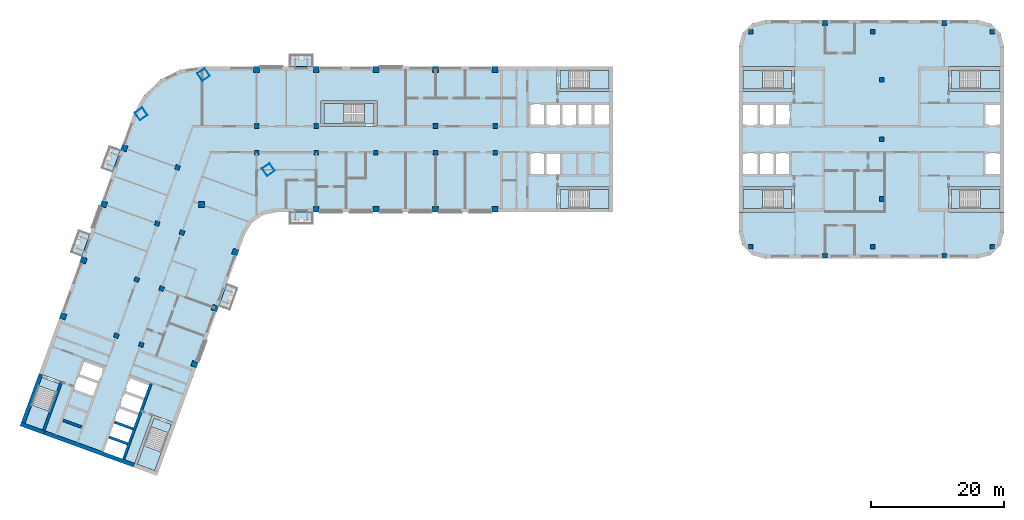
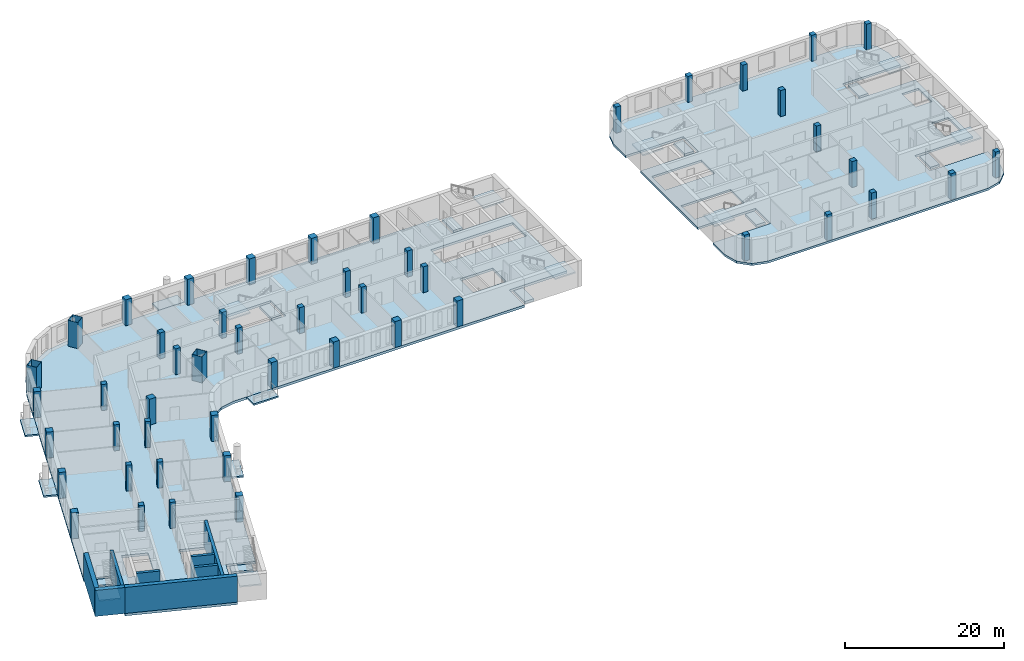
# One storey, part 1 of 16: 49 columns, 25 slabs, 8 walls, 9 elements without a shape of their own.
"""IFC4 building model written with IfcOpenShell, lengths in metres."""

from ifc_helpers import new_model, si_unit, direction, frame, frame_2d, origin, origin_2d, place, context, subcontext, project, spatial, polyline, rectangle, hollow_rectangle, outline, extrude, material, layer, layer_set, material_profile, profile_set, type_object, element, aggregate, save


model = new_model("IFC4")

# Units and contexts
model_context = context("Model", 3, precision=1e-05, world=origin(), true_north=direction((0.0, 1.0)))
body_context = subcontext(model_context, "Body", "Model", "MODEL_VIEW")
ifc_project = project(units=[si_unit("LENGTHUNIT", "METRE"), si_unit("AREAUNIT", "SQUARE_METRE"), si_unit("VOLUMEUNIT", "CUBIC_METRE"), si_unit("PLANEANGLEUNIT", "RADIAN"), si_unit("MASSUNIT", "GRAM", prefix="KILO")], contexts=[model_context])

# Site, building, storey
site_placement = place(None, origin())
site = spatial("IfcSite", under=ifc_project, at=site_placement, CompositionType="ELEMENT")
building_placement = place(site_placement, origin())
building = spatial("IfcBuilding", under=site, at=building_placement, Name="Skarvind Civic Tower", CompositionType="ELEMENT")
storey_placement = place(building_placement, frame((0.0, 0.0, 67.5)))
storey = spatial("IfcBuildingStorey", under=building, at=storey_placement, Name="L15", CompositionType="ELEMENT", Elevation=67.5)

# Columns
ifc_material_1 = material(Name="Concrete C60", Category="concrete")
ifc_material_profile_1 = material_profile(ifc_material_1, rectangle(XDim=0.699951171875, YDim=0.699951171875, at=origin_2d()), Name="RC-700x700")
ifc_profile_set_1 = profile_set([ifc_material_profile_1], Name="Concrete C60")
column_type_1 = type_object("IfcColumnType", Name="Column RC-700x700 C60", PredefinedType="COLUMN", material=ifc_profile_set_1)
for number, where, z_axis, x_axis, name in (
    (1, (54.25, 130.0, 0.0), (0.0, 0.0, 1.0), (1.0, 0.0, 0.0), "Column wing 1 north inner 02 L15"),
    (2, (63.25, 130.0, 0.0), (0.0, 0.0, 1.0), (1.0, 0.0, 0.0), "Column wing 1 north inner 03 L15"),
    (3, (81.25, 130.0, 0.0), (0.0, 0.0, 1.0), (1.0, 0.0, 0.0), "Column wing 1 north inner 05 L15"),
    (4, (90.25, 130.0, 0.0), (0.0, 0.0, 1.0), (1.0, 0.0, 0.0), "Column wing 1 north inner 06 L15"),
    (5, (54.25, 126.0, 0.0), (0.0, 0.0, 1.0), (1.0, 0.0, 0.0), "Column wing 1 south inner 02 L15"),
    (6, (63.25, 126.0, 0.0), (0.0, 0.0, 1.0), (1.0, 0.0, 0.0), "Column wing 1 south inner 03 L15"),
    (7, (72.25, 126.0, 0.0), (0.0, 0.0, 1.0), (1.0, 0.0, 0.0), "Column wing 1 south inner 04 L15"),
    (8, (81.25, 126.0, 0.0), (0.0, 0.0, 1.0), (1.0, 0.0, 0.0), "Column wing 1 south inner 05 L15"),
    (9, (90.25, 126.0, 0.0), (0.0, 0.0, 1.0), (1.0, 0.0, 0.0), "Column wing 1 south inner 06 L15"),
    (10, (43.005615234375, 113.92529296875, 0.0), (0.0, 0.0, 1.0), (-0.342020143326, -0.939692620786, 0.0), "Column wing 2 left inner 02 L15"),
    (11, (39.927490234375, 105.468017578125, 0.0), (0.0, 0.0, 1.0), (-0.342020143326, -0.939692620786, 0.0), "Column wing 2 left inner 03 L15"),
    (12, (36.84912109375, 97.010986328125, 0.0), (0.0, 0.0, 1.0), (-0.342020143326, -0.939692620786, 0.0), "Column wing 2 left inner 04 L15"),
    (13, (42.324951171875, 123.750732421875, 0.0), (0.0, 0.0, 1.0), (-0.342020143326, -0.939692620786, 0.0), "Column wing 2 right inner 01 L15"),
    (14, (39.246826171875, 115.29345703125, 0.0), (0.0, 0.0, 1.0), (-0.342020143326, -0.939692620786, 0.0), "Column wing 2 right inner 02 L15"),
    (15, (36.168701171875, 106.836181640625, 0.0), (0.0, 0.0, 1.0), (-0.342020143326, -0.939692620786, 0.0), "Column wing 2 right inner 03 L15"),
    (16, (33.090576171875, 98.37890625, 0.0), (0.0, 0.0, 1.0), (-0.342020143326, -0.939692620786, 0.0), "Column wing 2 right inner 04 L15"),
    (17, (128.777099609375, 144.222900390625, 0.0), (0.0, 0.0, 1.0), (1.0, 0.0, 0.0), "Column second tower north-west corner L15"),
    (18, (128.777099609375, 111.777099609375, 0.0), (0.0, 0.0, 1.0), (1.0, 0.0, 0.0), "Column second tower south-west corner L15"),
    (19, (148.550048828125, 119.0, 0.0), (0.0, 0.0, 1.0), (1.0, 0.0, 0.0), "Column second tower middle line 01 L15"),
    (20, (148.550048828125, 128.0, 0.0), (0.0, 0.0, 1.0), (1.0, 0.0, 0.0), "Column second tower middle line 02 L15"),
    (21, (148.550048828125, 137.0, 0.0), (0.0, 0.0, 1.0), (1.0, 0.0, 0.0), "Column second tower middle line 03 L15"),
    (22, (140.0, 145.550048828125, 0.0), (0.0, 0.0, 1.0), (1.0, 0.0, 0.0), "Column second tower north perimeter 02 L15"),
    (23, (147.222900390625, 144.222900390625, 0.0), (0.0, 0.0, 1.0), (1.0, 0.0, 0.0), "Column second tower north perimeter 03 L15"),
    (24, (140.0, 110.449951171875, 0.0), (0.0, 0.0, 1.0), (1.0, 0.0, 0.0), "Column second tower south perimeter 02 L15"),
    (25, (147.222900390625, 111.777099609375, 0.0), (0.0, 0.0, 1.0), (1.0, 0.0, 0.0), "Column second tower south perimeter 03 L15"),
    (26, (165.222900390625, 144.222900390625, 0.0), (0.0, 0.0, 1.0), (1.0, 0.0, 0.0), "Column second tower north-east corner L15"),
    (27, (165.222900390625, 111.777099609375, 0.0), (0.0, 0.0, 1.0), (1.0, 0.0, 0.0), "Column second tower south-east corner L15"),
    (28, (158.0, 145.550048828125, 0.0), (0.0, 0.0, 1.0), (1.0, 0.0, 0.0), "Column second tower north perimeter 04 L15"),
    (29, (158.0, 110.449951171875, 0.0), (0.0, 0.0, 1.0), (1.0, 0.0, 0.0), "Column second tower south perimeter 04 L15"),
):
    element("IfcColumn", number, at=place(storey_placement, frame(where, z_axis=z_axis, x_axis=x_axis)), inside=storey, type_object=column_type_1, Name=name, PredefinedType="COLUMN", context=body_context, shape_type="SweptSolid", body=[
        extrude(rectangle(XDim=0.699951171875, YDim=0.699951171875, at=origin_2d()), origin(), (0.0, 0.0, 1.0), 4.0),
    ])
ifc_material_2 = material(Name="Concrete C80", Category="concrete")
ifc_material_profile_2 = material_profile(ifc_material_2, rectangle(XDim=0.89990234375, YDim=0.89990234375, at=origin_2d()), Name="RC-900x900")
ifc_profile_set_2 = profile_set([ifc_material_profile_2], Name="Concrete C80")
column_type_2 = type_object("IfcColumnType", Name="Column RC-900x900 C80", PredefinedType="COLUMN", material=ifc_profile_set_2)
for number, where, z_axis, x_axis, name in (
    (30, (54.25, 138.550048828125, 0.0), (0.0, 0.0, 1.0), (1.0, 0.0, 0.0), "Column wing 1 north perimeter 02 L15"),
    (31, (63.25, 138.550048828125, 0.0), (0.0, 0.0, 1.0), (1.0, 0.0, 0.0), "Column wing 1 north perimeter 03 L15"),
    (32, (72.25, 138.550048828125, 0.0), (0.0, 0.0, 1.0), (1.0, 0.0, 0.0), "Column wing 1 north perimeter 04 L15"),
    (33, (81.25, 138.550048828125, 0.0), (0.0, 0.0, 1.0), (1.0, 0.0, 0.0), "Column wing 1 north perimeter 05 L15"),
    (34, (90.25, 138.550048828125, 0.0), (0.0, 0.0, 1.0), (1.0, 0.0, 0.0), "Column wing 1 north perimeter 06 L15"),
    (35, (45.95166015625, 118.151611328125, 0.0), (0.0, 0.0, 1.0), (1.0, 0.0, 0.0), "Column wing 1 south perimeter 01 L15"),
    (36, (63.25, 117.449951171875, 0.0), (0.0, 0.0, 1.0), (1.0, 0.0, 0.0), "Column wing 1 south perimeter 03 L15"),
    (37, (72.25, 117.449951171875, 0.0), (0.0, 0.0, 1.0), (1.0, 0.0, 0.0), "Column wing 1 south perimeter 04 L15"),
    (38, (81.25, 117.449951171875, 0.0), (0.0, 0.0, 1.0), (1.0, 0.0, 0.0), "Column wing 1 south perimeter 05 L15"),
    (39, (90.25, 117.449951171875, 0.0), (0.0, 0.0, 1.0), (1.0, 0.0, 0.0), "Column wing 1 south perimeter 06 L15"),
    (40, (51.0400390625, 111.0009765625, 0.0), (0.0, 0.0, 1.0), (-0.342020143326, -0.939692620786, 0.0), "Column wing 2 left perimeter 02 L15"),
    (41, (47.961669921875, 102.5439453125, 0.0), (0.0, 0.0, 1.0), (-0.342020143326, -0.939692620786, 0.0), "Column wing 2 left perimeter 03 L15"),
    (42, (44.883544921875, 94.086669921875, 0.0), (0.0, 0.0, 1.0), (-0.342020143326, -0.939692620786, 0.0), "Column wing 2 left perimeter 04 L15"),
    (43, (34.29052734375, 126.6748046875, 0.0), (0.0, 0.0, 1.0), (-0.342020143326, -0.939692620786, 0.0), "Column wing 2 right perimeter 01 L15"),
    (44, (31.21240234375, 118.2177734375, 0.0), (0.0, 0.0, 1.0), (-0.342020143326, -0.939692620786, 0.0), "Column wing 2 right perimeter 02 L15"),
    (45, (28.13427734375, 109.760498046875, 0.0), (0.0, 0.0, 1.0), (-0.342020143326, -0.939692620786, 0.0), "Column wing 2 right perimeter 03 L15"),
    (46, (25.05615234375, 101.30322265625, 0.0), (0.0, 0.0, 1.0), (-0.342020143326, -0.939692620786, 0.0), "Column wing 2 right perimeter 04 L15"),
):
    element("IfcColumn", number, at=place(storey_placement, frame(where, z_axis=z_axis, x_axis=x_axis)), inside=storey, type_object=column_type_2, Name=name, PredefinedType="COLUMN", context=body_context, shape_type="SweptSolid", body=[
        extrude(rectangle(XDim=0.89990234375, YDim=0.89990234375, at=origin_2d()), origin(), (0.0, 0.0, 1.0), 4.0),
    ])
ifc_material_3 = material(Name="Composite concrete-filled steel tube, Steel SM355 with Concrete C80", Category="concrete")
ifc_material_profile_3 = material_profile(ifc_material_3, hollow_rectangle(XDim=1.39990234375, YDim=1.39990234375, WallThickness=0.0400390625, at=origin_2d()), Name="BOX-1400x1400x40")
ifc_profile_set_3 = profile_set([ifc_material_profile_3], Name="Composite concrete-filled steel tube, Steel SM355 with Concrete C80")
column_type_3 = type_object("IfcColumnType", Name="Mega column BOX-1400x1400x40 filled C80", PredefinedType="COLUMN", material=ifc_profile_set_3)
for number, where, z_axis, x_axis, name in (
    (47, (36.845947265625, 131.837646484375, 0.0), (0.0, 0.0, 1.0), (0.573576436351, -0.819152044289, 0.0), "Mega column 1 L15"),
    (48, (46.2470703125, 137.762451171875, 0.0), (0.0, 0.0, 1.0), (0.573576436351, -0.819152044289, 0.0), "Mega column 2 L15"),
    (49, (56.0361328125, 123.43017578125, 0.0), (0.0, 0.0, 1.0), (0.573576436351, -0.819152044289, 0.0), "Mega column 4 L15"),
):
    element("IfcColumn", number, at=place(storey_placement, frame(where, z_axis=z_axis, x_axis=x_axis)), inside=storey, type_object=column_type_3, Name=name, PredefinedType="COLUMN", context=body_context, shape_type="SweptSolid", body=[
        extrude(hollow_rectangle(XDim=1.39990234375, YDim=1.39990234375, WallThickness=0.0400390625, at=origin_2d()), origin(), (0.0, 0.0, 1.0), 4.0),
    ])

# Slabs
ifc_material_4 = material(Name="Concrete C50", Category="concrete")
ifc_layer_1 = layer(ifc_material_4, 0.375)
ifc_layer_set_1 = layer_set([ifc_layer_1], Name="Floor slab 375 C50")
slab_type_1 = type_object("IfcSlabType", Name="Floor slab 375 C50", PredefinedType="FLOOR", material=ifc_layer_set_1)
slab_1_placement = place(storey_placement, frame((0.0, 0.0, -0.375)))
element("IfcSlab", 50, at=slab_1_placement, inside=storey, type_object=slab_type_1, Name="Floor slab L15 1", PredefinedType="FLOOR", context=body_context, shape_type="SweptSolid", body=[
    extrude(outline(polyline([(99.60009765625, 117.0), (99.60009765625, 120.800048828125), (108.0, 120.800048828125), (108.0, 135.199951171875), (99.60009765625, 135.199951171875), (99.60009765625, 139.0), (46.095458984375, 139.0), (42.739501953125, 138.5009765625), (39.6943359375, 137.005615234375), (37.24755859375, 134.6552734375), (35.630615234375, 131.672607421875), (19.41748046875, 87.126708984375), (21.435302734375, 92.6708984375), (25.006103515625, 91.371337890625), (22.13330078125, 83.477783203125), (36.886474609375, 78.108154296875), (35.664794921875, 78.552734375), (38.53759765625, 86.4462890625), (42.108642578125, 85.146484375), (40.0908203125, 79.602294921875), (40.0908203125, 79.602294921875), (52.493896484375, 113.68017578125), (53.560791015625, 115.421630859375), (55.23388671875, 116.593017578125), (57.235107421875, 117.0), (99.60009765625, 117.0)]), holes=[polyline([(32.625244140625, 85.40576171875), (33.446044921875, 87.660888671875), (34.26708984375, 89.916259765625), (35.087890625, 92.17138671875), (38.28271484375, 91.008544921875), (37.4619140625, 88.75341796875), (36.64111328125, 86.498046875), (35.8203125, 84.242919921875), (35.8203125, 84.242919921875), (34.99951171875, 81.987548828125), (34.178466796875, 79.732421875), (30.983642578125, 80.89501953125), (31.804443359375, 83.150390625), (32.625244140625, 85.40576171875), (32.625244140625, 85.40576171875)]), polyline([(31.3291015625, 93.53955078125), (30.50830078125, 91.2841796875), (29.6875, 89.029052734375), (26.492431640625, 90.19189453125), (27.313232421875, 92.447021484375), (28.134033203125, 94.702392578125), (31.3291015625, 93.53955078125)]), polyline([(64.0, 130.0), (64.0, 133.800048828125), (72.39990234375, 133.800048828125), (72.39990234375, 130.0), (64.0, 130.0)]), polyline([(100.199951171875, 126.0), (100.199951171875, 122.60009765625), (97.800048828125, 122.60009765625), (95.39990234375, 122.60009765625), (95.39990234375, 126.0), (97.800048828125, 126.0), (100.199951171875, 126.0)]), polyline([(100.199951171875, 133.39990234375), (102.60009765625, 133.39990234375), (105.0, 133.39990234375), (107.39990234375, 133.39990234375), (107.39990234375, 130.0), (105.0, 130.0), (102.60009765625, 130.0), (100.199951171875, 130.0), (97.800048828125, 130.0), (95.39990234375, 130.0), (95.39990234375, 133.39990234375), (97.800048828125, 133.39990234375), (100.199951171875, 133.39990234375)])]), origin(), (0.0, 0.0, 1.0), 0.375),
])
ifc_material_5 = material(Name="Precast concrete C40/50", Category="concrete")
ifc_layer_2 = layer(ifc_material_5, 0.25)
ifc_layer_set_2 = layer_set([ifc_layer_2], Name="SX3 BALCONY SLAB 250")
slab_type_2 = type_object("IfcSlabType", Name="SX3 BALCONY SLAB 250", PredefinedType="FLOOR", material=ifc_layer_set_2)
slab_2_placement = place(storey_placement, frame((0.0, 0.0, -0.25)))
element("IfcSlab", 51, at=slab_2_placement, inside=storey, type_object=slab_type_2, Name="TREE BALCONY SLAB", PredefinedType="FLOOR", context=body_context, shape_type="SweptSolid", body=[
    extrude(outline(polyline([(49.769775390625, 106.19580078125), (48.53857421875, 102.812744140625), (50.22998046875, 102.197265625), (51.461181640625, 105.580078125), (49.769775390625, 106.19580078125)])), origin(), (0.0, 0.0, 1.0), 0.25),
])
slab_3_placement = place(storey_placement, frame((0.0, 0.0, -0.25)))
element("IfcSlab", 52, at=slab_3_placement, inside=storey, type_object=slab_type_2, Name="TREE BALCONY SLAB", PredefinedType="FLOOR", context=body_context, shape_type="SweptSolid", body=[
    extrude(outline(polyline([(62.800048828125, 117.0), (59.199951171875, 117.0), (59.199951171875, 115.199951171875), (62.800048828125, 115.199951171875), (62.800048828125, 117.0)])), origin(), (0.0, 0.0, 1.0), 0.25),
])
slab_4_placement = place(storey_placement, frame((0.0, 0.0, -0.25)))
element("IfcSlab", 53, at=slab_4_placement, inside=storey, type_object=slab_type_2, Name="TREE BALCONY SLAB", PredefinedType="FLOOR", context=body_context, shape_type="SweptSolid", body=[
    extrude(outline(polyline([(59.199951171875, 139.0), (62.800048828125, 139.0), (62.800048828125, 140.800048828125), (59.199951171875, 140.800048828125), (59.199951171875, 139.0)])), origin(), (0.0, 0.0, 1.0), 0.25),
])
slab_5_placement = place(storey_placement, frame((0.0, 0.0, -0.25)))
element("IfcSlab", 54, at=slab_5_placement, inside=storey, type_object=slab_type_2, Name="TREE BALCONY SLAB", PredefinedType="FLOOR", context=body_context, shape_type="SweptSolid", body=[
    extrude(outline(polyline([(27.865234375, 110.33740234375), (29.0966796875, 113.72021484375), (27.4052734375, 114.335693359375), (26.173828125, 110.952880859375), (27.865234375, 110.33740234375)])), origin(), (0.0, 0.0, 1.0), 0.25),
])
slab_6_placement = place(storey_placement, frame((0.0, 0.0, -0.25)))
element("IfcSlab", 55, at=slab_6_placement, inside=storey, type_object=slab_type_2, Name="TREE BALCONY SLAB", PredefinedType="FLOOR", context=body_context, shape_type="SweptSolid", body=[
    extrude(outline(polyline([(32.482666015625, 123.023193359375), (33.7138671875, 126.406005859375), (32.0224609375, 127.021728515625), (30.791259765625, 123.638916015625), (32.482666015625, 123.023193359375)])), origin(), (0.0, 0.0, 1.0), 0.25),
])
ifc_layer_3 = layer(ifc_material_4, 0.324951171875)
ifc_layer_set_3 = layer_set([ifc_layer_3], Name="Second tower floor slab 325 C50")
slab_type_3 = type_object("IfcSlabType", Name="Second tower floor slab 325 C50", PredefinedType="FLOOR", material=ifc_layer_set_3)
slab_7_placement = place(storey_placement, frame((0.0, 0.0, -0.324951171875)))
element("IfcSlab", 56, at=slab_7_placement, inside=storey, type_object=slab_type_3, Name="Floor slab L15 1", PredefinedType="FLOOR", context=body_context, shape_type="SweptSolid", body=[
    extrude(outline(polyline([(127.0, 139.0), (135.39990234375, 139.0), (135.39990234375, 135.199951171875), (127.0, 135.199951171875), (127.0, 120.800048828125), (135.39990234375, 120.800048828125), (135.39990234375, 117.0), (127.0, 117.0), (127.0, 114.0), (127.535888671875, 112.0), (129.0, 110.535888671875), (131.0, 110.0), (163.0, 110.0), (165.0, 110.535888671875), (166.464111328125, 112.0), (167.0, 114.0), (167.0, 117.0), (158.60009765625, 117.0), (158.60009765625, 120.800048828125), (167.0, 120.800048828125), (167.0, 135.199951171875), (158.60009765625, 135.199951171875), (158.60009765625, 139.0), (167.0, 139.0), (167.0, 142.0), (166.464111328125, 144.0), (165.0, 145.464111328125), (163.0, 146.0), (131.0, 146.0), (129.0, 145.464111328125), (127.535888671875, 144.0), (127.0, 142.0), (127.0, 139.0)]), holes=[polyline([(132.39990234375, 126.0), (134.800048828125, 126.0), (134.800048828125, 122.60009765625), (132.39990234375, 122.60009765625), (130.0, 122.60009765625), (127.60009765625, 122.60009765625), (127.60009765625, 126.0), (130.0, 126.0), (132.39990234375, 126.0)]), polyline([(130.0, 133.39990234375), (132.39990234375, 133.39990234375), (134.800048828125, 133.39990234375), (134.800048828125, 130.0), (132.39990234375, 130.0), (130.0, 130.0), (127.60009765625, 130.0), (127.60009765625, 133.39990234375), (130.0, 133.39990234375)]), polyline([(166.39990234375, 126.0), (166.39990234375, 122.60009765625), (164.0, 122.60009765625), (164.0, 126.0), (166.39990234375, 126.0)]), polyline([(166.39990234375, 133.39990234375), (166.39990234375, 130.0), (164.0, 130.0), (164.0, 133.39990234375), (166.39990234375, 133.39990234375)])]), origin(), (0.0, 0.0, 1.0), 0.324951171875),
])
ifc_material_6 = material(Name="Concrete C40/50", Category="concrete")
ifc_layer_4 = layer(ifc_material_6, 0.375)
ifc_layer_set_4 = layer_set([ifc_layer_4], Name="Stair floor landing slab 375")
slab_type_4 = type_object("IfcSlabType", Name="Stair floor landing slab 375", PredefinedType="LANDING", material=ifc_layer_set_4)
slab_8_placement = place(storey_placement, frame((0.0, 0.0, -0.375)))
element("IfcSlab", 57, at=slab_8_placement, inside=storey, type_object=slab_type_4, Name="Stair floor landing", PredefinedType="LANDING", context=body_context, shape_type="SweptSolid", body=[
    extrude(outline(polyline([(101.3505859375, 138.400634765625), (101.3505859375, 135.599365234375), (99.99951171875, 135.599365234375), (99.99951171875, 138.400634765625), (101.3505859375, 138.400634765625)])), origin(), (0.0, 0.0, 1.0), 0.375),
])
slab_9_placement = place(storey_placement, frame((0.0, 0.0, -0.375)))
element("IfcSlab", 58, at=slab_9_placement, inside=storey, type_object=slab_type_4, Name="Stair floor landing", PredefinedType="LANDING", context=body_context, shape_type="SweptSolid", body=[
    extrude(outline(polyline([(101.3505859375, 120.400634765625), (101.3505859375, 117.599365234375), (99.99951171875, 117.599365234375), (99.99951171875, 120.400634765625), (101.3505859375, 120.400634765625)])), origin(), (0.0, 0.0, 1.0), 0.375),
])
slab_10_placement = place(storey_placement, frame((0.0, 0.0, -0.375)))
element("IfcSlab", 59, at=slab_10_placement, inside=storey, type_object=slab_type_4, Name="Stair floor landing", PredefinedType="LANDING", context=body_context, shape_type="SweptSolid", body=[
    extrude(outline(polyline([(40.946533203125, 83.70654296875), (38.314208984375, 84.66455078125), (38.7763671875, 85.934326171875), (41.40869140625, 84.976318359375), (40.946533203125, 83.70654296875)])), origin(), (0.0, 0.0, 1.0), 0.375),
])
slab_11_placement = place(storey_placement, frame((0.0, 0.0, -0.375)))
element("IfcSlab", 60, at=slab_11_placement, inside=storey, type_object=slab_type_4, Name="Stair floor landing", PredefinedType="LANDING", context=body_context, shape_type="SweptSolid", body=[
    extrude(outline(polyline([(24.0322265625, 89.863037109375), (21.39990234375, 90.821044921875), (21.862060546875, 92.090576171875), (24.494384765625, 91.132568359375), (24.0322265625, 89.863037109375)])), origin(), (0.0, 0.0, 1.0), 0.375),
])
slab_12_placement = place(storey_placement, frame((0.0, 0.0, -0.375)))
element("IfcSlab", 61, at=slab_12_placement, inside=storey, type_object=slab_type_4, Name="Stair floor landing", PredefinedType="LANDING", context=body_context, shape_type="SweptSolid", body=[
    extrude(outline(polyline([(133.6494140625, 117.599365234375), (133.6494140625, 120.400634765625), (135.00048828125, 120.400634765625), (135.00048828125, 117.599365234375), (133.6494140625, 117.599365234375)])), origin(), (0.0, 0.0, 1.0), 0.375),
])
slab_13_placement = place(storey_placement, frame((0.0, 0.0, -0.375)))
element("IfcSlab", 62, at=slab_13_placement, inside=storey, type_object=slab_type_4, Name="Stair floor landing", PredefinedType="LANDING", context=body_context, shape_type="SweptSolid", body=[
    extrude(outline(polyline([(133.6494140625, 135.599365234375), (133.6494140625, 138.400634765625), (135.00048828125, 138.400634765625), (135.00048828125, 135.599365234375), (133.6494140625, 135.599365234375)])), origin(), (0.0, 0.0, 1.0), 0.375),
])
slab_14_placement = place(storey_placement, frame((0.0, 0.0, -0.375)))
element("IfcSlab", 63, at=slab_14_placement, inside=storey, type_object=slab_type_4, Name="Stair floor landing", PredefinedType="LANDING", context=body_context, shape_type="SweptSolid", body=[
    extrude(outline(polyline([(160.3505859375, 138.400634765625), (160.3505859375, 135.599365234375), (158.99951171875, 135.599365234375), (158.99951171875, 138.400634765625), (160.3505859375, 138.400634765625)])), origin(), (0.0, 0.0, 1.0), 0.375),
])
slab_15_placement = place(storey_placement, frame((0.0, 0.0, -0.375)))
element("IfcSlab", 64, at=slab_15_placement, inside=storey, type_object=slab_type_4, Name="Stair floor landing", PredefinedType="LANDING", context=body_context, shape_type="SweptSolid", body=[
    extrude(outline(polyline([(160.3505859375, 120.400634765625), (160.3505859375, 117.599365234375), (158.99951171875, 117.599365234375), (158.99951171875, 120.400634765625), (160.3505859375, 120.400634765625)])), origin(), (0.0, 0.0, 1.0), 0.375),
])
slab_16_placement = place(storey_placement, frame((0.0, 0.0, -0.375)))
element("IfcSlab", 65, at=slab_16_placement, inside=storey, type_object=slab_type_4, Name="Stair floor landing", PredefinedType="LANDING", context=body_context, shape_type="SweptSolid", body=[
    extrude(outline(polyline([(70.54931640625, 130.3994140625), (70.54931640625, 133.400634765625), (72.00048828125, 133.400634765625), (72.00048828125, 130.3994140625), (70.54931640625, 130.3994140625)])), origin(), (0.0, 0.0, 1.0), 0.375),
])

# Stair, slab
stair_type_1 = type_object("IfcStairType", Name="Exit stair, half-turn, concrete", PredefinedType="HALF_TURN_STAIR", material=ifc_material_6)
stair_1_placement = place(storey_placement, origin())
stair_1 = element("IfcStair", 66, at=stair_1_placement, inside=storey, type_object=stair_type_1, Name="Exit stair C1S", PredefinedType="HALF_TURN_STAIR")
ifc_layer_5 = layer(ifc_material_6, 0.199951171875)
ifc_layer_set_5 = layer_set([ifc_layer_5], Name="Stair half landing slab")
slab_type_5 = type_object("IfcSlabType", Name="Stair half landing slab", PredefinedType="LANDING", material=ifc_layer_set_5)
slab_17_placement = place(storey_placement, frame((0.0, 0.0, 1.800048828125)))
slab_17 = element("IfcSlab", 67, at=slab_17_placement, type_object=slab_type_5, Name="ST-C1S landing 1", PredefinedType="LANDING", context=body_context, shape_type="SweptSolid", body=[
    extrude(outline(polyline([(104.429443359375, 135.599365234375), (104.429443359375, 138.400634765625), (107.400634765625, 138.400634765625), (107.400634765625, 135.599365234375), (104.429443359375, 135.599365234375)])), origin(), (0.0, 0.0, 1.0), 0.199951171875),
])
aggregate(stair_1, [slab_17])

stair_2_placement = place(storey_placement, origin())
stair_2 = element("IfcStair", 68, at=stair_2_placement, inside=storey, type_object=stair_type_1, Name="Exit stair C1N", PredefinedType="HALF_TURN_STAIR")
slab_18_placement = place(storey_placement, frame((0.0, 0.0, 1.800048828125)))
slab_18 = element("IfcSlab", 69, at=slab_18_placement, type_object=slab_type_5, Name="ST-C1N landing 1", PredefinedType="LANDING", context=body_context, shape_type="SweptSolid", body=[
    extrude(outline(polyline([(104.429443359375, 117.599365234375), (104.429443359375, 120.400634765625), (107.400634765625, 120.400634765625), (107.400634765625, 117.599365234375), (104.429443359375, 117.599365234375)])), origin(), (0.0, 0.0, 1.0), 0.199951171875),
])
aggregate(stair_2, [slab_18])

stair_3_placement = place(storey_placement, origin())
stair_3 = element("IfcStair", 70, at=stair_3_placement, inside=storey, type_object=stair_type_1, Name="Exit stair C2S", PredefinedType="HALF_TURN_STAIR")
slab_19_placement = place(storey_placement, frame((0.0, 0.0, 1.800048828125)))
slab_19 = element("IfcSlab", 71, at=slab_19_placement, type_object=slab_type_5, Name="ST-C2S landing 1", PredefinedType="LANDING", context=body_context, shape_type="SweptSolid", body=[
    extrude(outline(polyline([(37.26123046875, 81.771484375), (39.8935546875, 80.8134765625), (38.87744140625, 78.021484375), (36.2451171875, 78.9794921875), (37.26123046875, 81.771484375)])), origin(), (0.0, 0.0, 1.0), 0.199951171875),
])
aggregate(stair_3, [slab_19])

stair_4_placement = place(storey_placement, origin())
stair_4 = element("IfcStair", 72, at=stair_4_placement, inside=storey, type_object=stair_type_1, Name="Exit stair C2N", PredefinedType="HALF_TURN_STAIR")
slab_20_placement = place(storey_placement, frame((0.0, 0.0, 1.800048828125)))
slab_20 = element("IfcSlab", 73, at=slab_20_placement, type_object=slab_type_5, Name="ST-C2N landing 1", PredefinedType="LANDING", context=body_context, shape_type="SweptSolid", body=[
    extrude(outline(polyline([(20.346923828125, 87.927734375), (22.97900390625, 86.9697265625), (21.962890625, 84.177734375), (19.33056640625, 85.1357421875), (20.346923828125, 87.927734375)])), origin(), (0.0, 0.0, 1.0), 0.199951171875),
])
aggregate(stair_4, [slab_20])

stair_5_placement = place(storey_placement, origin())
stair_5 = element("IfcStair", 74, at=stair_5_placement, inside=storey, type_object=stair_type_1, Name="Exit stair CAS", PredefinedType="HALF_TURN_STAIR")
slab_21_placement = place(storey_placement, frame((0.0, 0.0, 1.800048828125)))
slab_21 = element("IfcSlab", 75, at=slab_21_placement, type_object=slab_type_5, Name="ST-CAS landing 1", PredefinedType="LANDING", context=body_context, shape_type="SweptSolid", body=[
    extrude(outline(polyline([(130.570556640625, 120.400634765625), (130.570556640625, 117.599365234375), (127.599365234375, 117.599365234375), (127.599365234375, 120.400634765625), (130.570556640625, 120.400634765625)])), origin(), (0.0, 0.0, 1.0), 0.199951171875),
])
aggregate(stair_5, [slab_21])

stair_6_placement = place(storey_placement, origin())
stair_6 = element("IfcStair", 76, at=stair_6_placement, inside=storey, type_object=stair_type_1, Name="Exit stair CAN", PredefinedType="HALF_TURN_STAIR")
slab_22_placement = place(storey_placement, frame((0.0, 0.0, 1.800048828125)))
slab_22 = element("IfcSlab", 77, at=slab_22_placement, type_object=slab_type_5, Name="ST-CAN landing 1", PredefinedType="LANDING", context=body_context, shape_type="SweptSolid", body=[
    extrude(outline(polyline([(130.570556640625, 138.400634765625), (130.570556640625, 135.599365234375), (127.599365234375, 135.599365234375), (127.599365234375, 138.400634765625), (130.570556640625, 138.400634765625)])), origin(), (0.0, 0.0, 1.0), 0.199951171875),
])
aggregate(stair_6, [slab_22])

stair_7_placement = place(storey_placement, origin())
stair_7 = element("IfcStair", 78, at=stair_7_placement, inside=storey, type_object=stair_type_1, Name="Exit stair CBS", PredefinedType="HALF_TURN_STAIR")
slab_23_placement = place(storey_placement, frame((0.0, 0.0, 1.800048828125)))
slab_23 = element("IfcSlab", 79, at=slab_23_placement, type_object=slab_type_5, Name="ST-CBS landing 1", PredefinedType="LANDING", context=body_context, shape_type="SweptSolid", body=[
    extrude(outline(polyline([(163.429443359375, 135.599365234375), (163.429443359375, 138.400634765625), (166.400634765625, 138.400634765625), (166.400634765625, 135.599365234375), (163.429443359375, 135.599365234375)])), origin(), (0.0, 0.0, 1.0), 0.199951171875),
])
aggregate(stair_7, [slab_23])

stair_8_placement = place(storey_placement, origin())
stair_8 = element("IfcStair", 80, at=stair_8_placement, inside=storey, type_object=stair_type_1, Name="Exit stair CBN", PredefinedType="HALF_TURN_STAIR")
slab_24_placement = place(storey_placement, frame((0.0, 0.0, 1.800048828125)))
slab_24 = element("IfcSlab", 81, at=slab_24_placement, type_object=slab_type_5, Name="ST-CBN landing 1", PredefinedType="LANDING", context=body_context, shape_type="SweptSolid", body=[
    extrude(outline(polyline([(163.429443359375, 117.599365234375), (163.429443359375, 120.400634765625), (166.400634765625, 120.400634765625), (166.400634765625, 117.599365234375), (163.429443359375, 117.599365234375)])), origin(), (0.0, 0.0, 1.0), 0.199951171875),
])
aggregate(stair_8, [slab_24])

stair_type_2 = type_object("IfcStairType", Name="Exit stair 1450, half-turn, concrete", PredefinedType="HALF_TURN_STAIR", material=ifc_material_6)
stair_9_placement = place(storey_placement, origin())
stair_9 = element("IfcStair", 82, at=stair_9_placement, inside=storey, type_object=stair_type_2, Name="Exit stair CM", PredefinedType="HALF_TURN_STAIR")
slab_25_placement = place(storey_placement, frame((0.0, 0.0, 1.800048828125)))
slab_25 = element("IfcSlab", 83, at=slab_25_placement, type_object=slab_type_5, Name="ST-CM landing 1", PredefinedType="LANDING", context=body_context, shape_type="SweptSolid", body=[
    extrude(outline(polyline([(67.470703125, 133.400634765625), (67.470703125, 130.3994140625), (64.3994140625, 130.3994140625), (64.3994140625, 133.400634765625), (67.470703125, 133.400634765625)])), origin(), (0.0, 0.0, 1.0), 0.199951171875),
])
aggregate(stair_9, [slab_25])

# Walls
ifc_layer_6 = layer(ifc_material_2, 0.39990234375)
ifc_layer_set_6 = layer_set([ifc_layer_6], Name="Core wall 400 C80")
wall_type_1 = type_object("IfcWallType", Name="Core wall 400 C80", PredefinedType="SHEAR", material=ifc_layer_set_6)
wall_1_placement = place(storey_placement, frame((22.150390625, 84.110107421875, 0.0), z_axis=(0.0, 0.0, 1.0), x_axis=(0.342016982193, 0.939693771338, 0.0)))
element("IfcWall", 84, at=wall_1_placement, inside=storey, type_object=wall_type_1, Name="Core wall C2 north stair inner L15", PredefinedType="SHEAR", context=body_context, shape_type="SweptSolid", body=[
    extrude(rectangle(XDim=7.800048828125, YDim=0.39990234375, at=frame_2d((3.89990234375, 0.0))), origin(), (0.0, 0.0, 1.0), 4.0),
])
wall_2_placement = place(storey_placement, frame((34.178466796875, 79.732177734375, 0.0), z_axis=(0.0, 0.0, 1.0), x_axis=(0.342014590177, 0.939694641948, 0.0)))
element("IfcWall", 85, at=wall_2_placement, inside=storey, type_object=wall_type_1, Name="Core wall C2 south lift row back L15", PredefinedType="SHEAR", context=body_context, shape_type="SweptSolid", body=[
    extrude(rectangle(XDim=12.2001953125, YDim=0.39990234375, at=frame_2d((6.10009765625, 0.0))), origin(), (0.0, 0.0, 1.0), 4.0),
])
for number, where, z_axis, x_axis, name in (
    (86, (34.8115234375, 82.055908203125, 0.0), (0.0, 0.0, 1.0), (-0.939686455819, 0.342037080957, 0.0), "Core wall C2 south lift row division 1 L15"),
    (87, (35.63232421875, 84.311279296875, 0.0), (0.0, 0.0, 1.0), (-0.939712609717, 0.341965219194, 0.0), "Core wall C2 south lift row division 2 L15"),
    (88, (27.857666015625, 84.5869140625, 0.0), (0.0, 0.0, 1.0), (-0.939686455819, 0.342037080957, 0.0), "Core wall C2 north lift row division 1 L15"),
):
    element("IfcWall", number, at=place(storey_placement, frame(where, z_axis=z_axis, x_axis=x_axis)), inside=storey, type_object=wall_type_1, Name=name, PredefinedType="SHEAR", context=body_context, shape_type="SweptSolid", body=[
        extrude(rectangle(XDim=3.0, YDim=0.39990234375, at=frame_2d((1.5, 0.0))), origin(), (0.0, 0.0, 1.0), 4.0),
    ])
ifc_layer_7 = layer(ifc_material_2, 0.60009765625)
ifc_layer_set_7 = layer_set([ifc_layer_7], Name="Core wall 600 C80")
wall_type_2 = type_object("IfcWallType", Name="Core wall 600 C80", PredefinedType="SHEAR", material=ifc_layer_set_7)
wall_3_placement = place(storey_placement, frame((35.767333984375, 78.834716796875, 0.0), z_axis=(0.0, 0.0, 1.0), x_axis=(-0.939692894512, 0.342019391267, 0.0)))
element("IfcWall", 89, at=wall_3_placement, inside=storey, type_object=wall_type_2, Name="Core wall C2 tip between the stairs L15", PredefinedType="SHEAR", context=body_context, shape_type="SweptSolid", body=[
    extrude(rectangle(XDim=14.39990234375, YDim=0.60009765625, at=frame_2d((7.199951171875, 0.0))), origin(), (0.0, 0.0, 1.0), 4.0),
])
wall_4_placement = place(storey_placement, frame((22.23583984375, 83.759765625, 0.0), z_axis=(0.0, 0.0, 1.0), x_axis=(-0.939680822529, 0.342052557032, 0.0)))
element("IfcWall", 90, at=wall_4_placement, inside=storey, type_object=wall_type_2, Name="Core wall C2 tip at the north stair L15", PredefinedType="SHEAR", context=body_context, shape_type="SweptSolid", body=[
    extrude(rectangle(XDim=3.800048828125, YDim=0.60009765625, at=frame_2d((1.89990234375, 0.0))), origin(), (0.0, 0.0, 1.0), 4.0),
])
wall_5_placement = place(storey_placement, frame((19.049560546875, 85.23876953125, 0.0), z_axis=(0.0, 0.0, 1.0), x_axis=(0.342016982193, 0.939693771338, 0.0)))
element("IfcWall", 91, at=wall_5_placement, inside=storey, type_object=wall_type_2, Name="Core wall C2 north side at the stair L15", PredefinedType="SHEAR", context=body_context, shape_type="SweptSolid", body=[
    extrude(rectangle(XDim=7.800048828125, YDim=0.60009765625, at=frame_2d((3.89990234375, 0.0))), origin(), (0.0, 0.0, 1.0), 4.0),
])

save(model, "model.ifc")
